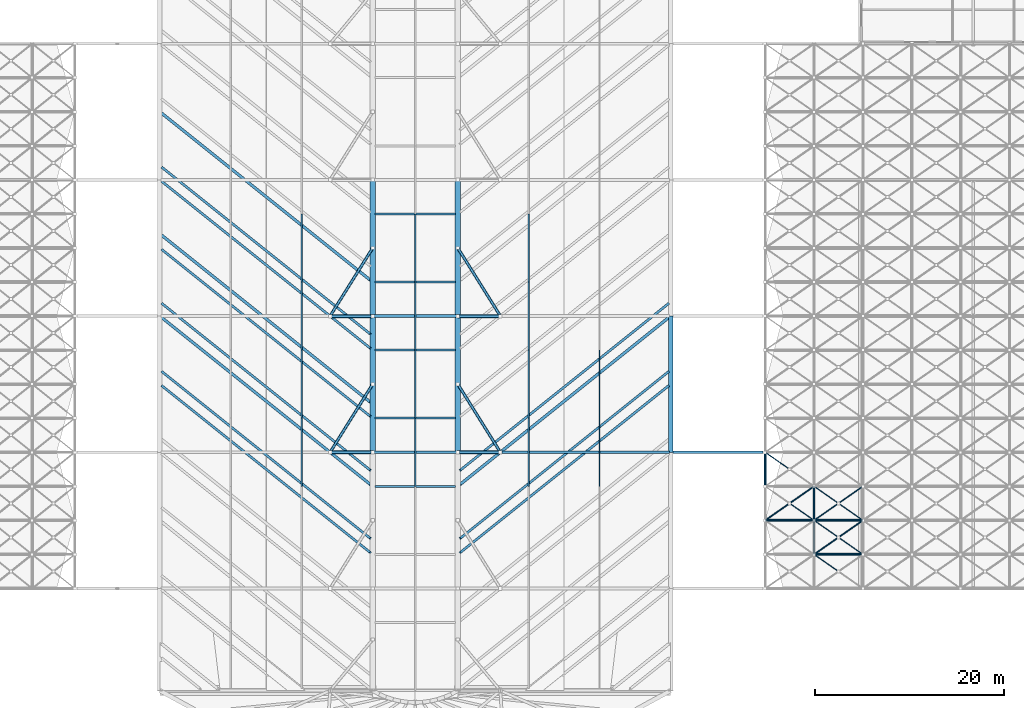
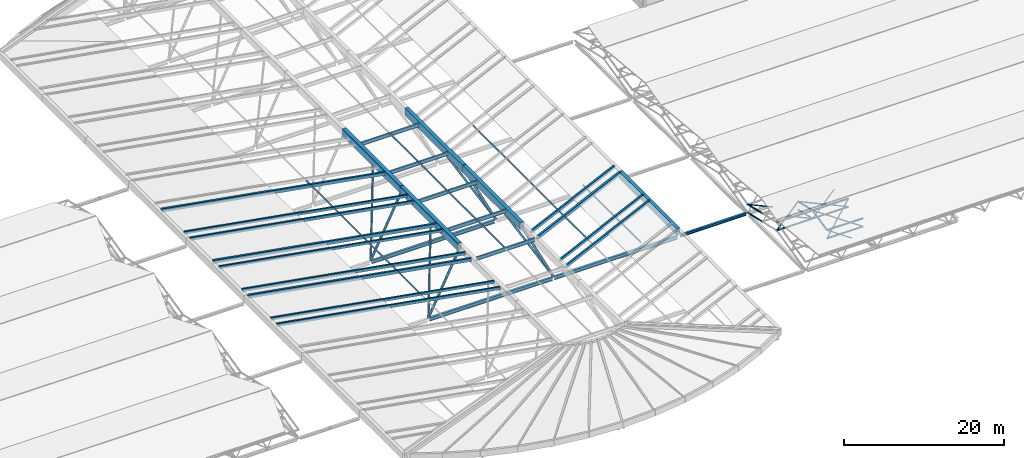
# One storey, part 23 of 110: 43 members, 27 beams.
"""IFC4 building model written with IfcOpenShell, lengths in metres."""

import ifcopenshell
import ifcopenshell.guid

model = None  # the IFC model being written
_history = None  # IfcOwnerHistory: only IFC2X3 demands one
_inside = {}  # id of a spatial element -> (the spatial element, [elements in it])
_under = {}  # id of a project, library or spatial element -> (it, [spatial elements below it])
_declared = {}  # id of a project -> (the project, [libraries it declares])
_typed = {}  # id of a type object -> (the type object, [elements of that type])
_made_of = {}  # id of a material, layer set ... -> (it, [elements and type objects made of it])


def new_model(schema):
    """Start an empty IFC model of exactly this schema.

    Asked for "IFC4X3", IfcOpenShell would pick the latest addendum, in which some entities
    have other attributes; the version numbers below select the first issue.
    IFC2X3 requires an IfcOwnerHistory on every rooted entity: one is made here for all.
    """
    global model, _history
    if schema == "IFC4X3":
        model = ifcopenshell.file(schema_version=(4, 3, 0, 0))
    else:
        model = ifcopenshell.file(schema=schema)
    _inside.clear()
    _under.clear()
    _declared.clear()
    _typed.clear()
    _made_of.clear()
    _history = None
    if model.schema == "IFC2X3":
        org = make("IfcOrganization", Name="unknown")
        user = make(
            "IfcPersonAndOrganization",
            ThePerson=make("IfcPerson", FamilyName="unknown"),
            TheOrganization=org,
        )
        app = make(
            "IfcApplication",
            ApplicationDeveloper=org,
            Version="unknown",
            ApplicationFullName="unknown",
            ApplicationIdentifier="unknown",
        )
        _history = make(
            "IfcOwnerHistory",
            OwningUser=user,
            OwningApplication=app,
            ChangeAction="ADDED",
            CreationDate=0,
        )
    return model


def make(cls, **values):
    """One entity of the class cls with the attributes given. An attribute that is None is left unset."""
    return model.create_entity(
        cls, **{name: value for name, value in values.items() if value is not None}
    )


def rooted(cls, **values):
    """An entity with a GlobalId (a new one), such as an element, a storey or a relation."""
    return make(cls, GlobalId=ifcopenshell.guid.new(), OwnerHistory=_history, **values)


def si_unit(unit_type, name, prefix=None):
    """IfcSIUnit, for example si_unit("LENGTHUNIT", "METRE", prefix="MILLI")."""
    return make("IfcSIUnit", UnitType=unit_type, Prefix=prefix, Name=name)


def assignment(units):
    """IfcUnitAssignment: the units of a project."""
    return None if units is None else make("IfcUnitAssignment", Units=units)


def point(xyz):
    """IfcCartesianPoint."""
    return None if xyz is None else make("IfcCartesianPoint", Coordinates=xyz)


def direction(xyz):
    """IfcDirection."""
    return None if xyz is None else make("IfcDirection", DirectionRatios=xyz)


def frame(location, z_axis=None, x_axis=None):
    """IfcAxis2Placement3D, a coordinate frame: its origin and axes. An axis left out is left unset."""
    return make(
        "IfcAxis2Placement3D",
        Location=point(location),
        Axis=direction(z_axis),
        RefDirection=direction(x_axis),
    )


def frame_2d(location, x_axis=None):
    """IfcAxis2Placement2D, a coordinate frame in the plane: its origin and x axis."""
    return make(
        "IfcAxis2Placement2D", Location=point(location), RefDirection=direction(x_axis)
    )


def origin():
    """The frame at (0, 0, 0) with its axes left unset."""
    return frame((0.0, 0.0, 0.0))


def origin_2d():
    """The frame at (0, 0) in the plane with its x axis left unset."""
    return frame_2d((0.0, 0.0))


def place(relative_to, where):
    """IfcLocalPlacement: puts the frame where relative to a parent placement (None: the world)."""
    return make(
        "IfcLocalPlacement", PlacementRelTo=relative_to, RelativePlacement=where
    )


def context(
    kind, dimensions, precision=None, world=None, true_north=None, identifier=None
):
    """IfcGeometricRepresentationContext, for example the 3D "Model" context."""
    return make(
        "IfcGeometricRepresentationContext",
        ContextIdentifier=identifier,
        ContextType=kind,
        CoordinateSpaceDimension=dimensions,
        Precision=precision,
        WorldCoordinateSystem=world,
        TrueNorth=true_north,
    )


def subcontext(parent, identifier, kind, view, scale=None):
    """IfcGeometricRepresentationSubContext, for example "Body" below "Model"."""
    return make(
        "IfcGeometricRepresentationSubContext",
        ContextIdentifier=identifier,
        ContextType=kind,
        ParentContext=parent,
        TargetScale=scale,
        TargetView=view,
    )


def project(units=None, contexts=None):
    """IfcProject with its units and contexts."""
    return rooted(
        "IfcProject",
        Name="project",
        RepresentationContexts=contexts,
        UnitsInContext=assignment(units),
    )


def spatial(cls, under=None, at=None, **own):
    """A site, building, storey or space (cls), placed at a placement, below another one or the project."""
    s = rooted(cls, ObjectPlacement=at, **own)
    if under is not None:
        _under.setdefault(under.id(), (under, []))[1].append(s)
    return s


def profile(cls, at=None, kind="AREA", **sizes):
    """A parametric profile (cls). Its sizes go by their IFC names, for example OverallWidth=200.0."""
    return make(cls, ProfileType=kind, Position=at, **sizes)


def hollow_rectangle(**sizes):
    """IfcRectangleHollowProfileDef."""
    return profile("IfcRectangleHollowProfileDef", **sizes)


def hollow_circle(**sizes):
    """IfcCircleHollowProfileDef."""
    return profile("IfcCircleHollowProfileDef", **sizes)


def i_section(**sizes):
    """IfcIShapeProfileDef."""
    return profile("IfcIShapeProfileDef", **sizes)


def extrude(swept, where, along, depth):
    """IfcExtrudedAreaSolid: the profile swept, set in the frame where, extruded along a direction by depth."""
    return make(
        "IfcExtrudedAreaSolid",
        SweptArea=swept,
        Position=where,
        ExtrudedDirection=direction(along),
        Depth=depth,
    )


def shape(context_of_items, identifier, shape_type, items):
    """IfcShapeRepresentation: the items that make up one representation, for example the "Body"."""
    return make(
        "IfcShapeRepresentation",
        ContextOfItems=context_of_items,
        RepresentationIdentifier=identifier,
        RepresentationType=shape_type,
        Items=items,
    )


def material(Name=None, Category=None):
    """IfcMaterial."""
    return make("IfcMaterial", Name=Name, Category=Category)


def material_profile(
    of_material, cross_section, Name=None, Category=None, Priority=None
):
    """IfcMaterialProfile: a cross section and its material."""
    return make(
        "IfcMaterialProfile",
        Name=Name,
        Material=of_material,
        Profile=cross_section,
        Priority=Priority,
        Category=Category,
    )


def profile_set(profiles, Name=None, composite=None):
    """IfcMaterialProfileSet."""
    return make(
        "IfcMaterialProfileSet",
        Name=Name,
        MaterialProfiles=profiles,
        CompositeProfile=composite,
    )


def made_of(thing, what):
    """Note that an element or type object is made of a material, layer set ...; save() writes the relation."""
    if what is not None:
        _made_of.setdefault(what.id(), (what, []))[1].append(thing)
    return thing


def type_object(cls, material=None, **own):
    """A type object (cls), such as IfcWallType, which elements share."""
    return made_of(rooted(cls, **own), material)


def element(
    cls,
    number,
    at=None,
    inside=None,
    cuts=None,
    type_object=None,
    material=None,
    context=None,
    identifier="Body",
    shape_type=None,
    held_by="IfcProductDefinitionShape",
    body=None,
    shapes=None,
    **own,
):
    """One element of the class cls, such as IfcWall. Its Tag is "e" and its number.

    at: its placement. inside: the storey or other place that contains it. cuts: it is an
    opening in that element (IfcRelVoidsElement). A single representation is given by context,
    identifier, shape_type and body (its items); several are given by shapes. held_by: the class
    of the entity that holds the representations. save() writes the other relations.
    """
    e = rooted(cls, Tag="e%d" % number, ObjectPlacement=at, **own)
    if body is not None:
        shapes = [shape(context, identifier, shape_type, body)]
    if shapes is not None:
        e.Representation = make(held_by, Representations=shapes)
    if inside is not None:
        _inside.setdefault(inside.id(), (inside, []))[1].append(e)
    if cuts is not None:
        rooted(
            "IfcRelVoidsElement", RelatingBuildingElement=cuts, RelatedOpeningElement=e
        )
    if type_object is not None:
        _typed.setdefault(type_object.id(), (type_object, []))[1].append(e)
    return made_of(e, material)


def aggregate(whole, parts):
    """IfcRelAggregates: a whole, such as a stair, and the parts it consists of."""
    return rooted("IfcRelAggregates", RelatingObject=whole, RelatedObjects=parts)


def save(model, path):
    """Write the relations noted so far, then the file.

    IfcRelAggregates (storeys below a building ...), IfcRelContainedInSpatialStructure (elements
    in a storey), IfcRelDefinesByType, IfcRelAssociatesMaterial and IfcRelDeclares: one each for
    every whole, place, type object, material and project.
    """
    for whole, parts in _under.values():
        aggregate(whole, parts)
    for where, things in _inside.values():
        rooted(
            "IfcRelContainedInSpatialStructure",
            RelatedElements=things,
            RelatingStructure=where,
        )
    for kind, things in _typed.values():
        rooted("IfcRelDefinesByType", RelatedObjects=things, RelatingType=kind)
    for what, things in _made_of.values():
        rooted("IfcRelAssociatesMaterial", RelatedObjects=things, RelatingMaterial=what)
    for by, libraries in _declared.values():
        rooted("IfcRelDeclares", RelatingContext=by, RelatedDefinitions=libraries)
    model.write(path)


model = new_model("IFC4")

# Units and contexts
model_context = context("Model", 3, precision=1e-05, world=origin(), true_north=direction((0.0, 1.0)))
body_context = subcontext(model_context, "Body", "Model", "MODEL_VIEW")
ifc_project = project(units=[si_unit("LENGTHUNIT", "METRE"), si_unit("AREAUNIT", "SQUARE_METRE"), si_unit("VOLUMEUNIT", "CUBIC_METRE"), si_unit("PLANEANGLEUNIT", "RADIAN"), si_unit("MASSUNIT", "GRAM", prefix="KILO")], contexts=[model_context])

# Site, building, storey
site_placement = place(None, origin())
site = spatial("IfcSite", under=ifc_project, at=site_placement, CompositionType="ELEMENT")
building_placement = place(site_placement, origin())
building = spatial("IfcBuilding", under=site, at=building_placement, Name="Tamarisk Ironworks Central Station", CompositionType="ELEMENT")
storey_placement = place(building_placement, frame((0.0, 0.0, 17.39990234375)))
storey = spatial("IfcBuildingStorey", under=building, at=storey_placement, Name="L03", CompositionType="ELEMENT", Elevation=17.39990234375)

# Beams
ifc_material_1 = material(Name="Painted structural steel S355J2", Category="steel")
ifc_material_profile_1 = material_profile(ifc_material_1, hollow_rectangle(XDim=0.5, YDim=1.0, WallThickness=0.02197265625, at=origin_2d()), Name="BOX 500x1000x22")
ifc_profile_set_1 = profile_set([ifc_material_profile_1], Name="Painted structural steel S355J2")
beam_type_1 = type_object("IfcBeamType", Name="BM-EG01", PredefinedType="USERDEFINED", material=ifc_profile_set_1)
beam_1_placement = place(storey_placement, frame((108.0, 36.0, -1.099853515625), z_axis=(0.0, 1.0, 0.0), x_axis=(-1.0, 0.0, 0.0)))
element("IfcBeam", 1, at=beam_1_placement, inside=storey, type_object=beam_type_1, Name="Concourse straight white eave girder E-011", ObjectType="TRANSFER GIRDER", PredefinedType="USERDEFINED", context=body_context, shape_type="SweptSolid", body=[
    extrude(hollow_rectangle(XDim=0.5, YDim=1.0, WallThickness=0.02197265625, at=origin_2d()), origin(), (0.0, 0.0, 1.0), 14.39990234375),
])
ifc_material_profile_2 = material_profile(ifc_material_1, hollow_rectangle(XDim=0.300048828125, YDim=0.5, WallThickness=0.02001953125, at=origin_2d()), Name="RHS 500x300x20")
ifc_profile_set_2 = profile_set([ifc_material_profile_2], Name="Painted structural steel S355J2")
beam_type_2 = type_object("IfcBeamType", Name="BM-FR01", PredefinedType="USERDEFINED", material=ifc_profile_set_2)
for number, where, z_axis, x_axis, name in (
    (2, (76.25, 32.60009765625, 7.873291015625), (-0.74681641456, 0.597451475993, -0.292090699574), (-0.624693991975, -0.780869653906, 0.0), "Concourse paired 45-degree white fishbone roof rib 0133"),
    (3, (85.75, 32.60009765625, 7.873291015625), (0.74681641456, 0.597451475993, -0.292090699574), (-0.624693991975, 0.780869653906, 0.0), "Concourse paired 45-degree white fishbone roof rib 0134"),
    (4, (76.25, 41.300048828125, 7.873291015625), (-0.74681641456, 0.597451475993, -0.292090699574), (-0.624693991975, -0.780869653906, 0.0), "Concourse paired 45-degree white fishbone roof rib 0139"),
):
    element("IfcBeam", number, at=place(storey_placement, frame(where, z_axis=z_axis, x_axis=x_axis)), inside=storey, type_object=beam_type_2, Name=name, ObjectType="FISHBONE ROOF RIB", PredefinedType="USERDEFINED", context=body_context, shape_type="SweptSolid", body=[
        extrude(hollow_rectangle(XDim=0.300048828125, YDim=0.5, WallThickness=0.02001953125, at=origin_2d()), origin(), (0.0, 0.0, 1.0), 29.49169921875),
    ])
beam_2_placement = place(storey_placement, frame((76.25, 54.199951171875, 7.873291015625), z_axis=(-0.746812720906, 0.597456799313, -0.292089254932), x_axis=(-0.624699269839, -0.780865431597, 0.0)))
element("IfcBeam", 5, at=beam_2_placement, inside=storey, type_object=beam_type_2, Name="Concourse paired 45-degree white fishbone roof rib 0145", ObjectType="FISHBONE ROOF RIB", PredefinedType="USERDEFINED", context=body_context, shape_type="SweptSolid", body=[
    extrude(hollow_rectangle(XDim=0.300048828125, YDim=0.5, WallThickness=0.02001953125, at=origin_2d()), origin(), (0.0, 0.0, 1.0), 29.491943359375),
])
ifc_material_profile_3 = material_profile(ifc_material_1, hollow_rectangle(XDim=0.25, YDim=0.449951171875, WallThickness=0.01611328125, at=origin_2d()), Name="RHS 450x250x16")
ifc_profile_set_3 = profile_set([ifc_material_profile_3], Name="Painted structural steel S355J2")
beam_type_3 = type_object("IfcBeamType", Name="BM-FR02", PredefinedType="USERDEFINED", material=ifc_profile_set_3)
for number, where, z_axis, x_axis, name in (
    (6, (76.25, 25.39990234375, 7.897216796875), (-0.746812720906, 0.597456799313, -0.292089254932), (-0.624699269839, -0.780865431597, 0.0), "Concourse paired 45-degree white fishbone roof rib 0129"),
    (7, (85.75, 25.39990234375, 7.897216796875), (0.746812720906, 0.597456799313, -0.292089254932), (-0.624699269839, 0.780865431597, 0.0), "Concourse paired 45-degree white fishbone roof rib 0130"),
):
    element("IfcBeam", number, at=place(storey_placement, frame(where, z_axis=z_axis, x_axis=x_axis)), inside=storey, type_object=beam_type_3, Name=name, ObjectType="FISHBONE ROOF RIB", PredefinedType="USERDEFINED", context=body_context, shape_type="SweptSolid", body=[
        extrude(hollow_rectangle(XDim=0.25, YDim=0.449951171875, WallThickness=0.01611328125, at=origin_2d()), origin(), (0.0, 0.0, 1.0), 29.491943359375),
    ])
for number, where, z_axis, x_axis, name in (
    (8, (76.25, 34.10009765625, 7.897216796875), (-0.74681641456, 0.597451475993, -0.292090699574), (-0.624693991975, -0.780869653906, 0.0), "Concourse paired 45-degree white fishbone roof rib 0135"),
    (9, (85.75, 34.10009765625, 7.897216796875), (0.74681641456, 0.597451475993, -0.292090699574), (-0.624693991975, 0.780869653906, 0.0), "Concourse paired 45-degree white fishbone roof rib 0136"),
):
    element("IfcBeam", number, at=place(storey_placement, frame(where, z_axis=z_axis, x_axis=x_axis)), inside=storey, type_object=beam_type_3, Name=name, ObjectType="FISHBONE ROOF RIB", PredefinedType="USERDEFINED", context=body_context, shape_type="SweptSolid", body=[
        extrude(hollow_rectangle(XDim=0.25, YDim=0.449951171875, WallThickness=0.01611328125, at=origin_2d()), origin(), (0.0, 0.0, 1.0), 29.49169921875),
    ])
beam_3_placement = place(storey_placement, frame((76.25, 47.0, 7.897216796875), z_axis=(-0.746812720906, 0.597456799313, -0.292089254932), x_axis=(-0.624699269839, -0.780865431597, 0.0)))
element("IfcBeam", 10, at=beam_3_placement, inside=storey, type_object=beam_type_3, Name="Concourse paired 45-degree white fishbone roof rib 0141", ObjectType="FISHBONE ROOF RIB", PredefinedType="USERDEFINED", context=body_context, shape_type="SweptSolid", body=[
    extrude(hollow_rectangle(XDim=0.25, YDim=0.449951171875, WallThickness=0.01611328125, at=origin_2d()), origin(), (0.0, 0.0, 1.0), 29.491943359375),
])
ifc_material_profile_4 = material_profile(ifc_material_1, hollow_rectangle(XDim=0.25, YDim=0.39990234375, WallThickness=0.01611328125, at=origin_2d()), Name="RHS 400x250x16")
ifc_profile_set_4 = profile_set([ifc_material_profile_4], Name="Painted structural steel S355J2")
beam_type_4 = type_object("IfcBeamType", Name="BM-FR03", PredefinedType="USERDEFINED", material=ifc_profile_set_4)
for number, where, z_axis, x_axis, name in (
    (11, (76.25, 26.89990234375, 7.9208984375), (-0.746814526668, 0.597458243939, -0.292081682936), (-0.624699269839, -0.780865431597, 0.0), "Concourse paired 45-degree white fishbone roof rib 0131"),
    (12, (85.75, 26.89990234375, 7.9208984375), (0.746814526668, 0.597458243939, -0.292081682936), (-0.624699269839, 0.780865431597, 0.0), "Concourse paired 45-degree white fishbone roof rib 0132"),
    (13, (76.25, 39.800048828125, 7.9208984375), (-0.746818220349, 0.59745292062, -0.292083127547), (-0.624693991975, -0.780869653906, 0.0), "Concourse paired 45-degree white fishbone roof rib 0137"),
    (14, (76.25, 48.5, 7.9208984375), (-0.746814526668, 0.597458243939, -0.292081682936), (-0.624699269839, -0.780865431597, 0.0), "Concourse paired 45-degree white fishbone roof rib 0143"),
):
    element("IfcBeam", number, at=place(storey_placement, frame(where, z_axis=z_axis, x_axis=x_axis)), inside=storey, type_object=beam_type_4, Name=name, ObjectType="FISHBONE ROOF RIB", PredefinedType="USERDEFINED", context=body_context, shape_type="SweptSolid", body=[
        extrude(hollow_rectangle(XDim=0.25, YDim=0.39990234375, WallThickness=0.01611328125, at=origin_2d()), origin(), (0.0, 0.0, 1.0), 29.49169921875),
    ])
ifc_material_profile_5 = material_profile(ifc_material_1, i_section(OverallWidth=0.2099609375, OverallDepth=0.550048828125, WebThickness=0.010986328125, FlangeThickness=0.01708984375, at=origin_2d()), Name="IPE 550")
ifc_profile_set_5 = profile_set([ifc_material_profile_5], Name="Painted structural steel S355J2")
beam_type_5 = type_object("IfcBeamType", Name="BM-FR04", PredefinedType="USERDEFINED", material=ifc_profile_set_5)
for number, where, z_axis, x_axis, name in (
    (15, (76.7548828125, 32.39990234375, 7.85009765625), (1.0, 0.0, 0.0), (0.0, 1.0, 0.0), "Central glazed spine transverse rib 097"),
    (16, (76.7548828125, 39.60009765625, 7.85009765625), (1.0, 0.0, 0.0), (0.0, 1.0, 0.0), "Central glazed spine transverse rib 098"),
    (17, (76.7548828125, 46.800048828125, 7.85009765625), (1.0, 0.0, 0.0), (0.0, 1.0, 0.0), "Central glazed spine transverse rib 099"),
    (18, (76.7548828125, 54.0, 7.85009765625), (1.0, 0.0, 0.0), (0.0, 1.0, 0.0), "Central glazed spine transverse rib 100"),
    (19, (76.7548828125, 61.199951171875, 7.85009765625), (1.0, 0.0, 0.0), (0.0, 1.0, 0.0), "Central glazed spine transverse rib 101"),
):
    element("IfcBeam", number, at=place(storey_placement, frame(where, z_axis=z_axis, x_axis=x_axis)), inside=storey, type_object=beam_type_5, Name=name, ObjectType="FISHBONE ROOF RIB", PredefinedType="USERDEFINED", context=body_context, shape_type="SweptSolid", body=[
        extrude(i_section(OverallWidth=0.2099609375, OverallDepth=0.550048828125, WebThickness=0.010986328125, FlangeThickness=0.01708984375, at=origin_2d()), origin(), (0.0, 0.0, 1.0), 8.490234375),
    ])
ifc_material_2 = material(Name="Structural steel S355J2", Category="steel")
ifc_material_profile_6 = material_profile(ifc_material_2, i_section(OverallWidth=0.300048828125, OverallDepth=0.5400390625, WebThickness=0.012451171875, FlangeThickness=0.02392578125, at=origin_2d()), Name="HEA 550")
ifc_profile_set_6 = profile_set([ifc_material_profile_6], Name="Structural steel S355J2")
beam_type_6 = type_object("IfcBeamType", Name="BM-G04", PredefinedType="BEAM", material=ifc_profile_set_6)
for number, where, z_axis, x_axis, name in (
    (20, (72.139892578125, 36.0, -1.869873046875), (1.0, 0.0, 0.0), (0.0, 1.0, 0.0), "Concourse roof portal tie girder 024"),
    (21, (90.139892578125, 36.0, -1.869873046875), (1.0, 0.0, 0.0), (0.0, 1.0, 0.0), "Concourse roof portal tie girder 025"),
    (22, (72.139892578125, 50.39990234375, -1.869873046875), (1.0, 0.0, 0.0), (0.0, 1.0, 0.0), "Concourse roof portal tie girder 027"),
):
    element("IfcBeam", number, at=place(storey_placement, frame(where, z_axis=z_axis, x_axis=x_axis)), inside=storey, type_object=beam_type_6, Name=name, PredefinedType="BEAM", context=body_context, shape_type="SweptSolid", body=[
        extrude(i_section(OverallWidth=0.300048828125, OverallDepth=0.5400390625, WebThickness=0.012451171875, FlangeThickness=0.02392578125, at=origin_2d()), origin(), (0.0, 0.0, 1.0), 17.72021484375),
    ])
ifc_material_profile_7 = material_profile(ifc_material_2, i_section(OverallWidth=0.300048828125, OverallDepth=0.389892578125, WebThickness=0.010986328125, FlangeThickness=0.01904296875, at=origin_2d()), Name="HEA 400")
ifc_profile_set_7 = profile_set([ifc_material_profile_7], Name="Structural steel S355J2")
beam_type_7 = type_object("IfcBeamType", Name="BM-G07", PredefinedType="BEAM", material=ifc_profile_set_7)
beam_4_placement = place(storey_placement, frame((108.22998046875, 36.0, -1.7998046875), z_axis=(1.0, 0.0, 0.0), x_axis=(0.0, 1.0, 0.0)))
element("IfcBeam", 23, at=beam_4_placement, inside=storey, type_object=beam_type_7, Name="Train shed to concourse eave tie girder 07", PredefinedType="BEAM", context=body_context, shape_type="SweptSolid", body=[
    extrude(i_section(OverallWidth=0.300048828125, OverallDepth=0.389892578125, WebThickness=0.010986328125, FlangeThickness=0.01904296875, at=origin_2d()), origin(), (0.0, 0.0, 1.0), 9.5400390625),
])
ifc_material_profile_8 = material_profile(ifc_material_1, hollow_rectangle(XDim=0.550048828125, YDim=1.10009765625, WallThickness=0.02392578125, at=origin_2d()), Name="BOX 550x1100x24")
ifc_profile_set_8 = profile_set([ifc_material_profile_8], Name="Painted structural steel S355J2")
beam_type_8 = type_object("IfcBeamType", Name="BM-SG01", PredefinedType="USERDEFINED", material=ifc_profile_set_8)
beam_5_placement = place(storey_placement, frame((76.5, 36.0, 7.650146484375), z_axis=(0.0, 1.0, 0.0), x_axis=(-1.0, 0.0, 0.0)))
element("IfcBeam", 24, at=beam_5_placement, inside=storey, type_object=beam_type_8, Name="Concourse central glazed spine girder W-046", ObjectType="TRANSFER GIRDER", PredefinedType="USERDEFINED", context=body_context, shape_type="SweptSolid", body=[
    extrude(hollow_rectangle(XDim=0.550048828125, YDim=1.10009765625, WallThickness=0.02392578125, at=origin_2d()), origin(), (0.0, 0.0, 1.0), 14.39990234375),
])
beam_6_placement = place(storey_placement, frame((76.5, 50.39990234375, 7.650146484375), z_axis=(0.0, 1.0, 0.0), x_axis=(-1.0, 0.0, 0.0)))
element("IfcBeam", 25, at=beam_6_placement, inside=storey, type_object=beam_type_8, Name="Concourse central glazed spine girder W-047", ObjectType="TRANSFER GIRDER", PredefinedType="USERDEFINED", context=body_context, shape_type="SweptSolid", body=[
    extrude(hollow_rectangle(XDim=0.550048828125, YDim=1.10009765625, WallThickness=0.02392578125, at=origin_2d()), origin(), (0.0, 0.0, 1.0), 14.400146484375),
])
beam_7_placement = place(storey_placement, frame((85.5, 36.0, 7.650146484375), z_axis=(0.0, 1.0, 0.0), x_axis=(-1.0, 0.0, 0.0)))
element("IfcBeam", 26, at=beam_7_placement, inside=storey, type_object=beam_type_8, Name="Concourse central glazed spine girder E-054", ObjectType="TRANSFER GIRDER", PredefinedType="USERDEFINED", context=body_context, shape_type="SweptSolid", body=[
    extrude(hollow_rectangle(XDim=0.550048828125, YDim=1.10009765625, WallThickness=0.02392578125, at=origin_2d()), origin(), (0.0, 0.0, 1.0), 14.39990234375),
])
beam_8_placement = place(storey_placement, frame((85.5, 50.39990234375, 7.650146484375), z_axis=(0.0, 1.0, 0.0), x_axis=(-1.0, 0.0, 0.0)))
element("IfcBeam", 27, at=beam_8_placement, inside=storey, type_object=beam_type_8, Name="Concourse central glazed spine girder E-055", ObjectType="TRANSFER GIRDER", PredefinedType="USERDEFINED", context=body_context, shape_type="SweptSolid", body=[
    extrude(hollow_rectangle(XDim=0.550048828125, YDim=1.10009765625, WallThickness=0.02392578125, at=origin_2d()), origin(), (0.0, 0.0, 1.0), 14.400146484375),
])

# Members
ifc_material_profile_9 = material_profile(ifc_material_1, hollow_rectangle(XDim=0.1201171875, YDim=0.219970703125, WallThickness=0.008056640625, at=origin_2d()), Name="RHS 220x120x8")
ifc_profile_set_9 = profile_set([ifc_material_profile_9], Name="Painted structural steel S355J2")
member_type_1 = type_object("IfcMemberType", Name="MB-PR01", PredefinedType="PURLIN", material=ifc_profile_set_9)
for number, where, z_axis, x_axis, name in (
    (28, (81.0, 32.404052734375, 7.97998046875), (0.0, 1.0, 0.0), (-1.0, 0.0, 0.0), "Spine skylight purlin 004"),
    (29, (81.0, 39.60400390625, 7.97998046875), (0.0, 1.0, 0.0), (-1.0, 0.0, 0.0), "Spine skylight purlin 005"),
):
    element("IfcMember", number, at=place(storey_placement, frame(where, z_axis=z_axis, x_axis=x_axis)), inside=storey, type_object=member_type_1, Name=name, PredefinedType="PURLIN", context=body_context, shape_type="SweptSolid", body=[
        extrude(hollow_rectangle(XDim=0.1201171875, YDim=0.219970703125, WallThickness=0.008056640625, at=origin_2d()), origin(), (0.0, 0.0, 1.0), 7.19189453125),
    ])
for number, where, z_axis, x_axis, name in (
    (30, (81.0, 46.803955078125, 7.97998046875), (0.0, 1.0, 0.0), (-1.0, 0.0, 0.0), "Spine skylight purlin 006"),
    (31, (81.0, 54.00390625, 7.97998046875), (0.0, 1.0, 0.0), (-1.0, 0.0, 0.0), "Spine skylight purlin 007"),
):
    element("IfcMember", number, at=place(storey_placement, frame(where, z_axis=z_axis, x_axis=x_axis)), inside=storey, type_object=member_type_1, Name=name, PredefinedType="PURLIN", context=body_context, shape_type="SweptSolid", body=[
        extrude(hollow_rectangle(XDim=0.1201171875, YDim=0.219970703125, WallThickness=0.008056640625, at=origin_2d()), origin(), (0.0, 0.0, 1.0), 7.192138671875),
    ])
member_1_placement = place(storey_placement, frame((69.0, 32.39990234375, 5.002685546875), z_axis=(0.0, 1.0, 0.0), x_axis=(-1.0, 0.0, 0.0)))
element("IfcMember", 32, at=member_1_placement, inside=storey, type_object=member_type_1, Name="Concourse roof glazing purlin 0018", PredefinedType="PURLIN", context=body_context, shape_type="SweptSolid", body=[
    extrude(hollow_rectangle(XDim=0.1201171875, YDim=0.219970703125, WallThickness=0.008056640625, at=origin_2d()), origin(), (0.0, 0.0, 1.0), 7.2001953125),
])
for number, where, z_axis, x_axis, name in (
    (33, (69.0, 39.60009765625, 5.002685546875), (0.0, 1.0, 0.0), (-1.0, 0.0, 0.0), "Concourse roof glazing purlin 0019"),
    (34, (69.0, 46.800048828125, 5.002685546875), (0.0, 1.0, 0.0), (-1.0, 0.0, 0.0), "Concourse roof glazing purlin 0020"),
    (35, (69.0, 54.0, 5.002685546875), (0.0, 1.0, 0.0), (-1.0, 0.0, 0.0), "Concourse roof glazing purlin 0021"),
):
    element("IfcMember", number, at=place(storey_placement, frame(where, z_axis=z_axis, x_axis=x_axis)), inside=storey, type_object=member_type_1, Name=name, PredefinedType="PURLIN", context=body_context, shape_type="SweptSolid", body=[
        extrude(hollow_rectangle(XDim=0.1201171875, YDim=0.219970703125, WallThickness=0.008056640625, at=origin_2d()), origin(), (0.0, 0.0, 1.0), 7.199951171875),
    ])
member_2_placement = place(storey_placement, frame((93.0, 32.39990234375, 5.002685546875), z_axis=(0.0, 1.0, 0.0), x_axis=(-1.0, 0.0, 0.0)))
element("IfcMember", 36, at=member_2_placement, inside=storey, type_object=member_type_1, Name="Concourse roof glazing purlin 0046", PredefinedType="PURLIN", context=body_context, shape_type="SweptSolid", body=[
    extrude(hollow_rectangle(XDim=0.1201171875, YDim=0.219970703125, WallThickness=0.008056640625, at=origin_2d()), origin(), (0.0, 0.0, 1.0), 7.2001953125),
])
for number, where, z_axis, x_axis, name in (
    (37, (93.0, 39.60009765625, 5.002685546875), (0.0, 1.0, 0.0), (-1.0, 0.0, 0.0), "Concourse roof glazing purlin 0047"),
    (38, (93.0, 46.800048828125, 5.002685546875), (0.0, 1.0, 0.0), (-1.0, 0.0, 0.0), "Concourse roof glazing purlin 0048"),
    (39, (93.0, 54.0, 5.002685546875), (0.0, 1.0, 0.0), (-1.0, 0.0, 0.0), "Concourse roof glazing purlin 0049"),
):
    element("IfcMember", number, at=place(storey_placement, frame(where, z_axis=z_axis, x_axis=x_axis)), inside=storey, type_object=member_type_1, Name=name, PredefinedType="PURLIN", context=body_context, shape_type="SweptSolid", body=[
        extrude(hollow_rectangle(XDim=0.1201171875, YDim=0.219970703125, WallThickness=0.008056640625, at=origin_2d()), origin(), (0.0, 0.0, 1.0), 7.199951171875),
    ])
member_3_placement = place(storey_placement, frame((100.5, 32.39990234375, 2.0693359375), z_axis=(0.0, 1.0, 0.0), x_axis=(-1.0, 0.0, 0.0)))
element("IfcMember", 40, at=member_3_placement, inside=storey, type_object=member_type_1, Name="Concourse roof glazing purlin 0060", PredefinedType="PURLIN", context=body_context, shape_type="SweptSolid", body=[
    extrude(hollow_rectangle(XDim=0.1201171875, YDim=0.219970703125, WallThickness=0.008056640625, at=origin_2d()), origin(), (0.0, 0.0, 1.0), 7.2001953125),
])
member_4_placement = place(storey_placement, frame((100.5, 39.60009765625, 2.0693359375), z_axis=(0.0, 1.0, 0.0), x_axis=(-1.0, 0.0, 0.0)))
element("IfcMember", 41, at=member_4_placement, inside=storey, type_object=member_type_1, Name="Concourse roof glazing purlin 0061", PredefinedType="PURLIN", context=body_context, shape_type="SweptSolid", body=[
    extrude(hollow_rectangle(XDim=0.1201171875, YDim=0.219970703125, WallThickness=0.008056640625, at=origin_2d()), origin(), (0.0, 0.0, 1.0), 7.199951171875),
])
ifc_material_3 = material(Name="Structural steel S355J2H", Category="steel")
ifc_material_profile_10 = material_profile(ifc_material_3, hollow_circle(Radius=0.136474609375, WallThickness=0.012451171875, at=origin_2d()), Name="CHS 273x12.5")
ifc_profile_set_10 = profile_set([ifc_material_profile_10], Name="Structural steel S355J2H")
member_type_2 = type_object("IfcMemberType", Name="MB-SFC01", PredefinedType="CHORD", material=ifc_profile_set_10)
member_5_placement = place(storey_placement, frame((123.166748046875, 25.199951171875, 0.35498046875), z_axis=(1.0, 0.0, 0.0), x_axis=(0.0, 1.0, 0.0)))
element("IfcMember", 42, at=member_5_placement, inside=storey, type_object=member_type_2, Name="Train shed space-frame top chord 1064", PredefinedType="CHORD", context=body_context, shape_type="SweptSolid", body=[
    extrude(hollow_circle(Radius=0.136474609375, WallThickness=0.012451171875, at=origin_2d()), origin(), (0.0, 0.0, 1.0), 5.16650390625),
])
member_6_placement = place(storey_placement, frame((118.0, 28.800048828125, 1.18017578125), z_axis=(1.0, 0.0, 0.0), x_axis=(0.0, 1.0, 0.0)))
element("IfcMember", 43, at=member_6_placement, inside=storey, type_object=member_type_2, Name="Train shed space-frame top chord 1075", PredefinedType="CHORD", context=body_context, shape_type="SweptSolid", body=[
    extrude(hollow_circle(Radius=0.136474609375, WallThickness=0.012451171875, at=origin_2d()), origin(), (0.0, 0.0, 1.0), 5.166748046875),
])
member_7_placement = place(storey_placement, frame((123.166748046875, 28.800048828125, 1.18017578125), z_axis=(1.0, 0.0, 0.0), x_axis=(0.0, 1.0, 0.0)))
element("IfcMember", 44, at=member_7_placement, inside=storey, type_object=member_type_2, Name="Train shed space-frame top chord 1076", PredefinedType="CHORD", context=body_context, shape_type="SweptSolid", body=[
    extrude(hollow_circle(Radius=0.136474609375, WallThickness=0.012451171875, at=origin_2d()), origin(), (0.0, 0.0, 1.0), 5.16650390625),
])
ifc_material_profile_11 = material_profile(ifc_material_3, hollow_circle(Radius=0.122314453125, WallThickness=0.012451171875, at=origin_2d()), Name="CHS 244.5x12.5")
ifc_profile_set_11 = profile_set([ifc_material_profile_11], Name="Structural steel S355J2H")
member_type_3 = type_object("IfcMemberType", Name="MB-SFC02", PredefinedType="CHORD", material=ifc_profile_set_11)
member_8_placement = place(storey_placement, frame((123.166748046875, 25.199951171875, -0.89501953125), z_axis=(1.0, 0.0, 0.0), x_axis=(0.0, 1.0, 0.0)))
element("IfcMember", 45, at=member_8_placement, inside=storey, type_object=member_type_3, Name="Train shed space-frame bottom chord 0964", PredefinedType="CHORD", context=body_context, shape_type="SweptSolid", body=[
    extrude(hollow_circle(Radius=0.122314453125, WallThickness=0.012451171875, at=origin_2d()), origin(), (0.0, 0.0, 1.0), 5.16650390625),
])
member_9_placement = place(storey_placement, frame((118.0, 28.800048828125, -0.06982421875), z_axis=(1.0, 0.0, 0.0), x_axis=(0.0, 1.0, 0.0)))
element("IfcMember", 46, at=member_9_placement, inside=storey, type_object=member_type_3, Name="Train shed space-frame bottom chord 0975", PredefinedType="CHORD", context=body_context, shape_type="SweptSolid", body=[
    extrude(hollow_circle(Radius=0.122314453125, WallThickness=0.012451171875, at=origin_2d()), origin(), (0.0, 0.0, 1.0), 5.166748046875),
])
member_10_placement = place(storey_placement, frame((123.166748046875, 28.800048828125, -0.06982421875), z_axis=(1.0, 0.0, 0.0), x_axis=(0.0, 1.0, 0.0)))
element("IfcMember", 47, at=member_10_placement, inside=storey, type_object=member_type_3, Name="Train shed space-frame bottom chord 0976", PredefinedType="CHORD", context=body_context, shape_type="SweptSolid", body=[
    extrude(hollow_circle(Radius=0.122314453125, WallThickness=0.012451171875, at=origin_2d()), origin(), (0.0, 0.0, 1.0), 5.16650390625),
])
for number, where, z_axis, x_axis, name in (
    (48, (118.0, 32.39990234375, 0.35498046875), (0.0, 0.974736516158, -0.223357838607), (-1.0, 0.0, 0.0), "Train shed space-frame top transverse chord 1114"),
    (49, (123.166748046875, 25.199951171875, 0.35498046875), (0.0, 0.974722123001, 0.223420641241), (-1.0, 0.0, 0.0), "Train shed space-frame top transverse chord 1116"),
):
    element("IfcMember", number, at=place(storey_placement, frame(where, z_axis=z_axis, x_axis=x_axis)), inside=storey, type_object=member_type_3, Name=name, PredefinedType="CHORD", context=body_context, shape_type="SweptSolid", body=[
        extrude(hollow_circle(Radius=0.122314453125, WallThickness=0.012451171875, at=origin_2d()), origin(), (0.0, 0.0, 1.0), 3.693359375),
    ])
member_11_placement = place(storey_placement, frame((123.166748046875, 28.800048828125, 1.18017578125), z_axis=(0.0, 0.974718823144, -0.223435037113), x_axis=(-1.0, 0.0, 0.0)))
element("IfcMember", 50, at=member_11_placement, inside=storey, type_object=member_type_3, Name="Train shed space-frame top transverse chord 1117", PredefinedType="CHORD", context=body_context, shape_type="SweptSolid", body=[
    extrude(hollow_circle(Radius=0.122314453125, WallThickness=0.012451171875, at=origin_2d()), origin(), (0.0, 0.0, 1.0), 3.693115234375),
])
ifc_material_profile_12 = material_profile(ifc_material_3, hollow_circle(Radius=0.109619140625, WallThickness=0.010009765625, at=origin_2d()), Name="CHS 219.1x10")
ifc_profile_set_12 = profile_set([ifc_material_profile_12], Name="Structural steel S355J2H")
member_type_4 = type_object("IfcMemberType", Name="MB-SFC03", PredefinedType="CHORD", material=ifc_profile_set_12)
member_12_placement = place(storey_placement, frame((118.0, 32.39990234375, -0.89501953125), z_axis=(0.0, 0.974736516158, -0.223357838607), x_axis=(-1.0, 0.0, 0.0)))
element("IfcMember", 51, at=member_12_placement, inside=storey, type_object=member_type_4, Name="Train shed space-frame transverse chord 1002", PredefinedType="CHORD", context=body_context, shape_type="SweptSolid", body=[
    extrude(hollow_circle(Radius=0.109619140625, WallThickness=0.010009765625, at=origin_2d()), origin(), (0.0, 0.0, 1.0), 3.693359375),
])
member_13_placement = place(storey_placement, frame((123.166748046875, 28.800048828125, -0.06982421875), z_axis=(0.0, 0.974718823144, -0.223435037113), x_axis=(-1.0, 0.0, 0.0)))
element("IfcMember", 52, at=member_13_placement, inside=storey, type_object=member_type_4, Name="Train shed space-frame transverse chord 1005", PredefinedType="CHORD", context=body_context, shape_type="SweptSolid", body=[
    extrude(hollow_circle(Radius=0.109619140625, WallThickness=0.010009765625, at=origin_2d()), origin(), (0.0, 0.0, 1.0), 3.693115234375),
])
ifc_material_profile_13 = material_profile(ifc_material_3, hollow_circle(Radius=0.084228515625, WallThickness=0.010009765625, at=origin_2d()), Name="CHS 168.3x10")
ifc_profile_set_13 = profile_set([ifc_material_profile_13], Name="Structural steel S355J2H")
member_type_5 = type_object("IfcMemberType", Name="MB-SFD01", PredefinedType="BRACE", material=ifc_profile_set_13)
member_14_placement = place(storey_placement, frame((118.0, 28.800048828125, -0.06982421875), z_axis=(0.818627942589, 0.570366631076, 0.06730674385), x_axis=(-0.57166297408, 0.820488539875, 0.0)))
element("IfcMember", 53, at=member_14_placement, inside=storey, type_object=member_type_5, Name="Train shed space-frame diagonal 1167", PredefinedType="BRACE", context=body_context, shape_type="SweptSolid", body=[
    extrude(hollow_circle(Radius=0.084228515625, WallThickness=0.010009765625, at=origin_2d()), origin(), (0.0, 0.0, 1.0), 6.3115234375),
])
member_15_placement = place(storey_placement, frame((123.166748046875, 25.199951171875, -0.89501953125), z_axis=(0.779234922088, 0.542982617952, 0.31299011614), x_axis=(-0.571707258436, 0.820457683645, 0.0)))
element("IfcMember", 54, at=member_15_placement, inside=storey, type_object=member_type_5, Name="Train shed space-frame diagonal 1173", PredefinedType="BRACE", context=body_context, shape_type="SweptSolid", body=[
    extrude(hollow_circle(Radius=0.084228515625, WallThickness=0.010009765625, at=origin_2d()), origin(), (0.0, 0.0, 1.0), 6.630126953125),
])
ifc_material_profile_14 = material_profile(ifc_material_3, hollow_circle(Radius=0.06982421875, WallThickness=0.008056640625, at=origin_2d()), Name="CHS 139.7x8")
ifc_profile_set_14 = profile_set([ifc_material_profile_14], Name="Structural steel S355J2H")
member_type_6 = type_object("IfcMemberType", Name="MB-SFD02", PredefinedType="BRACE", material=ifc_profile_set_14)
member_16_placement = place(storey_placement, frame((123.166748046875, 28.800048828125, -0.06982421875), z_axis=(0.818615182779, 0.570384692849, 0.06730887525), x_axis=(-0.571681159291, 0.820475869305, 0.0)))
element("IfcMember", 55, at=member_16_placement, inside=storey, type_object=member_type_6, Name="Train shed space-frame diagonal 1175", PredefinedType="BRACE", context=body_context, shape_type="SweptSolid", body=[
    extrude(hollow_circle(Radius=0.06982421875, WallThickness=0.008056640625, at=origin_2d()), origin(), (0.0, 0.0, 1.0), 6.311279296875),
])
ifc_material_profile_15 = material_profile(ifc_material_3, hollow_circle(Radius=0.05712890625, WallThickness=0.00634765625, at=origin_2d()), Name="CHS 114.3x6.3")
ifc_profile_set_15 = profile_set([ifc_material_profile_15], Name="Structural steel S355J2H")
member_type_7 = type_object("IfcMemberType", Name="MB-SFD03", PredefinedType="BRACE", material=ifc_profile_set_15)
for number, where, z_axis, x_axis, name in (
    (56, (123.166748046875, 28.800048828125, -0.06982421875), (-0.81862545828, 0.570368646704, 0.067319877544), (-0.571665501983, -0.820486778591, 0.0), "Train shed space-frame split counter-diagonal lower 1168"),
    (57, (120.538330078125, 34.2314453125, -0.6787109375), (-0.81862545828, 0.570368646704, 0.067319877544), (-0.571665501983, -0.820486778591, 0.0), "Train shed space-frame split counter-diagonal upper 1170"),
):
    element("IfcMember", number, at=place(storey_placement, frame(where, z_axis=z_axis, x_axis=x_axis)), inside=storey, type_object=member_type_7, Name=name, PredefinedType="BRACE", context=body_context, shape_type="SweptSolid", body=[
        extrude(hollow_circle(Radius=0.05712890625, WallThickness=0.00634765625, at=origin_2d()), origin(), (0.0, 0.0, 1.0), 3.100830078125),
    ])
for number, where, z_axis, x_axis, name in (
    (58, (125.70703125, 23.429931640625, -0.665283203125), (-0.779251958926, 0.542967486998, 0.312973948712), (-0.571688120068, -0.820471019216, 0.0), "Train shed space-frame split counter-diagonal upper 1172"),
    (59, (128.333251953125, 25.199951171875, -0.89501953125), (-0.779202006797, 0.5430075686, 0.313028773514), (-0.571741198525, -0.820434032637, 0.0), "Train shed space-frame split counter-diagonal lower 1174"),
    (60, (125.70703125, 27.02978515625, 0.159912109375), (-0.779220271205, 0.543020296637, 0.312961221852), (-0.571741198525, -0.820434032637, 0.0), "Train shed space-frame split counter-diagonal upper 1174"),
):
    element("IfcMember", number, at=place(storey_placement, frame(where, z_axis=z_axis, x_axis=x_axis)), inside=storey, type_object=member_type_7, Name=name, PredefinedType="BRACE", context=body_context, shape_type="SweptSolid", body=[
        extrude(hollow_circle(Radius=0.05712890625, WallThickness=0.00634765625, at=origin_2d()), origin(), (0.0, 0.0, 1.0), 3.260009765625),
    ])
for number, where, z_axis, x_axis, name in (
    (61, (128.333251953125, 28.800048828125, -0.06982421875), (-0.81862545828, 0.570368646704, 0.067319877544), (-0.571665501983, -0.820486778591, 0.0), "Train shed space-frame split counter-diagonal lower 1176"),
    (62, (125.705078125, 30.63134765625, 0.146240234375), (-0.81862545828, 0.570368646704, 0.067319877544), (-0.571665501983, -0.820486778591, 0.0), "Train shed space-frame split counter-diagonal upper 1176"),
):
    element("IfcMember", number, at=place(storey_placement, frame(where, z_axis=z_axis, x_axis=x_axis)), inside=storey, type_object=member_type_7, Name=name, PredefinedType="BRACE", context=body_context, shape_type="SweptSolid", body=[
        extrude(hollow_circle(Radius=0.05712890625, WallThickness=0.00634765625, at=origin_2d()), origin(), (0.0, 0.0, 1.0), 3.100830078125),
    ])
ifc_material_profile_16 = material_profile(ifc_material_1, hollow_circle(Radius=0.177734375, WallThickness=0.01611328125, at=origin_2d()), Name="CHS 355.6x16")
ifc_profile_set_16 = profile_set([ifc_material_profile_16], Name="Painted structural steel S355J2")
member_type_8 = type_object("IfcMemberType", Name="MB-VS01", PredefinedType="STRUT", material=ifc_profile_set_16)
for number, where, z_axis, x_axis, name in (
    (63, (72.0, 36.0, -1.639892578125), (0.443657342756, 0.0, 0.896196497549), (0.0, 1.0, 0.0), "Concourse spine V-strut 068"),
    (64, (90.0, 36.0, -1.639892578125), (-0.443657342756, 0.0, 0.896196497549), (0.0, -1.0, 0.0), "Concourse spine V-strut 070"),
    (65, (72.0, 50.39990234375, -1.639892578125), (0.443657342756, 0.0, 0.896196497549), (0.0, 1.0, 0.0), "Concourse spine V-strut 072"),
    (66, (90.0, 50.39990234375, -1.639892578125), (-0.443657342756, 0.0, 0.896196497549), (0.0, -1.0, 0.0), "Concourse spine V-strut 074"),
):
    element("IfcMember", number, at=place(storey_placement, frame(where, z_axis=z_axis, x_axis=x_axis)), inside=storey, type_object=member_type_8, Name=name, PredefinedType="STRUT", context=body_context, shape_type="SweptSolid", body=[
        extrude(hollow_circle(Radius=0.177734375, WallThickness=0.01611328125, at=origin_2d()), origin(), (0.0, 0.0, 1.0), 10.14306640625),
    ])
ifc_material_profile_17 = material_profile(ifc_material_1, hollow_circle(Radius=0.149169921875, WallThickness=0.01416015625, at=origin_2d()), Name="CHS 298.5x14.2")
ifc_profile_set_17 = profile_set([ifc_material_profile_17], Name="Painted structural steel S355J2")
member_type_9 = type_object("IfcMemberType", Name="MB-VS02", PredefinedType="STRUT", material=ifc_profile_set_17)
for number, where, z_axis, x_axis, name in (
    (67, (72.0, 36.0, -1.639892578125), (0.361776786068, 0.578838932179, 0.73079617381), (-0.847996688584, 0.530001524668, 0.0), "Concourse spine diagonal V-strut 069"),
    (68, (90.0, 36.0, -1.639892578125), (-0.361776786068, 0.578838932179, 0.73079617381), (-0.847996688584, -0.530001524668, 0.0), "Concourse spine diagonal V-strut 071"),
    (69, (72.0, 50.39990234375, -1.639892578125), (0.361772675833, 0.578851983272, 0.730787871056), (-0.848004765453, 0.529988601547, 0.0), "Concourse spine diagonal V-strut 073"),
    (70, (90.0, 50.39990234375, -1.639892578125), (-0.361772675833, 0.578851983272, 0.730787871056), (-0.848004765453, -0.529988601547, 0.0), "Concourse spine diagonal V-strut 075"),
):
    element("IfcMember", number, at=place(storey_placement, frame(where, z_axis=z_axis, x_axis=x_axis)), inside=storey, type_object=member_type_9, Name=name, PredefinedType="STRUT", context=body_context, shape_type="SweptSolid", body=[
        extrude(hollow_circle(Radius=0.149169921875, WallThickness=0.01416015625, at=origin_2d()), origin(), (0.0, 0.0, 1.0), 12.438720703125),
    ])

save(model, "model.ifc")
